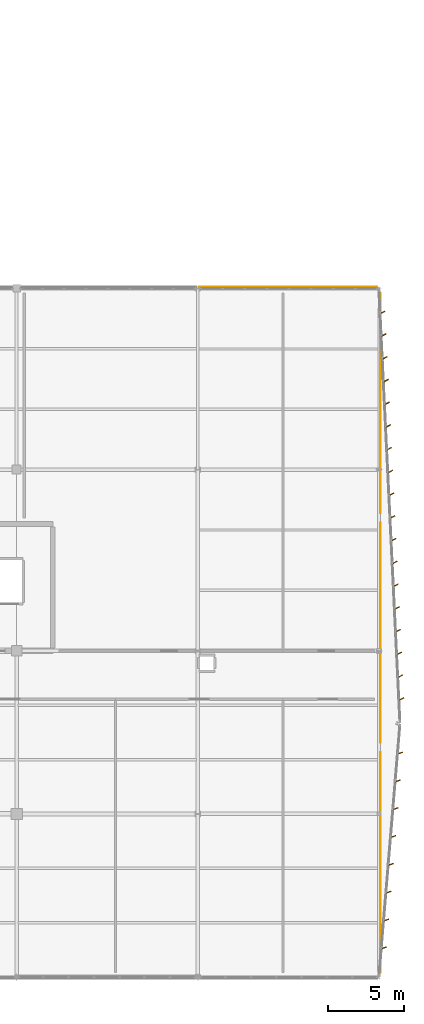
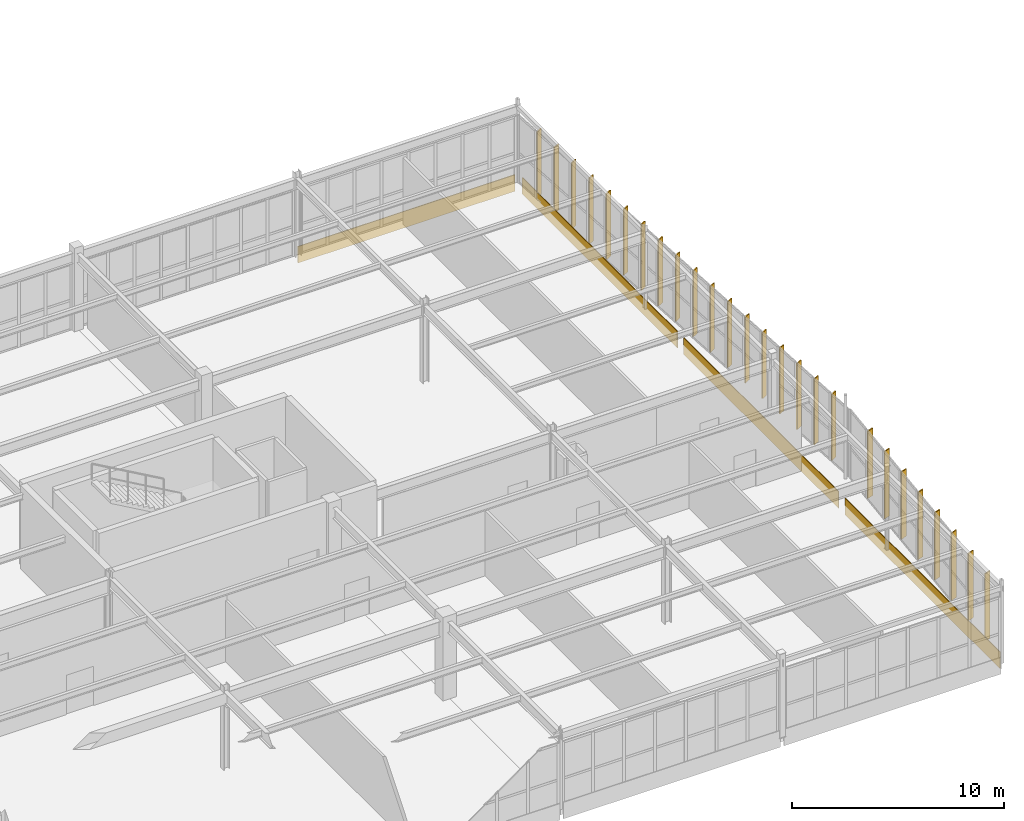
# One storey, part 181 of 186: 26 shading devices, 4 coverings.
"""IFC4 building model written with IfcOpenShell, lengths in metres."""

from ifc_helpers import new_model, si_unit, direction, frame, origin, origin_2d, place, context, subcontext, project, spatial, rectangle, extrude, material, layer, layer_set, type_object, element, save


model = new_model("IFC4")

# Units and contexts
model_context = context("Model", 3, precision=1e-05, world=origin(), true_north=direction((0.0, 1.0)))
body_context = subcontext(model_context, "Body", "Model", "MODEL_VIEW")
ifc_project = project(units=[si_unit("LENGTHUNIT", "METRE"), si_unit("AREAUNIT", "SQUARE_METRE"), si_unit("VOLUMEUNIT", "CUBIC_METRE"), si_unit("PLANEANGLEUNIT", "RADIAN"), si_unit("MASSUNIT", "GRAM", prefix="KILO")], contexts=[model_context])

# Site, building, storey
site_placement = place(None, origin())
site = spatial("IfcSite", under=ifc_project, at=site_placement, CompositionType="ELEMENT")
building_placement = place(site_placement, origin())
building = spatial("IfcBuilding", under=site, at=building_placement, Name="Tarnwether General Hospital", CompositionType="ELEMENT")
storey_placement = place(building_placement, frame((0.0, 0.0, 9.60009765625)))
storey = spatial("IfcBuildingStorey", under=building, at=storey_placement, Name="L02", CompositionType="ELEMENT", Elevation=9.60009765625)

# Coverings
ifc_material_1 = material(Name="Folded zinc-titanium cladding")
ifc_layer_1 = layer(ifc_material_1, 0.0400390625)
ifc_layer_set_1 = layer_set([ifc_layer_1], Name="Folded zinc-titanium cladding")
covering_type = type_object("IfcCoveringType", Name="CV-CLD-ZNC", PredefinedType="CLADDING", material=ifc_layer_set_1)
covering_placement = place(storey_placement, frame((186.0, 45.68994140625, -0.55517578125), z_axis=(0.0, 0.0, 1.0), x_axis=(1.0, 0.0, 0.0)))
element("IfcCovering", 1, at=covering_placement, inside=storey, type_object=covering_type, Name="Deconstructivist Faceted Zinc Spandrel Blade 030", PredefinedType="CLADDING", context=body_context, shape_type="SweptSolid", body=[
    extrude(rectangle(XDim=11.800048828125, YDim=0.0400390625, at=origin_2d()), origin(), (0.0, 0.0, 1.0), 0.949951171875),
])
for number, where, z_axis, x_axis, name in (
    (2, (192.090087890625, 7.60009765625, -0.55517578125), (0.0, 0.0, 1.0), (0.0, 1.0, 0.0), "Deconstructivist East Faceted Zinc Spandrel 039"),
    (3, (192.090087890625, 22.800048828125, -0.55517578125), (0.0, 0.0, 1.0), (0.0, 1.0, 0.0), "Deconstructivist East Faceted Zinc Spandrel 040"),
    (4, (192.090087890625, 38.0, -0.55517578125), (0.0, 0.0, 1.0), (0.0, 1.0, 0.0), "Deconstructivist East Faceted Zinc Spandrel 041"),
):
    element("IfcCovering", number, at=place(storey_placement, frame(where, z_axis=z_axis, x_axis=x_axis)), inside=storey, type_object=covering_type, Name=name, PredefinedType="CLADDING", context=body_context, shape_type="SweptSolid", body=[
        extrude(rectangle(XDim=14.60009765625, YDim=0.0400390625, at=origin_2d()), origin(), (0.0, 0.0, 1.0), 0.949951171875),
    ])

# Shading devices
ifc_material_2 = material(Name="Champagne-bronze anodised aluminium", Category="aluminium")
ifc_layer_2 = layer(ifc_material_2, 0.06005859375)
ifc_layer_set_2 = layer_set([ifc_layer_2], Name="Champagne-bronze anodised aluminium")
shading_device_type = type_object("IfcShadingDeviceType", Name="SH-FIN-BRZ", PredefinedType="USERDEFINED", material=ifc_layer_set_2)
for number, where, z_axis, x_axis, name in (
    (5, (192.237060546875, 44.013916015625, 0.0498046875), (0.0, 0.0, 1.0), (0.466077834922, -0.884743720969, 0.0), "Champagne-Bronze Brise-Soleil Fin 0466"),
    (6, (192.31005859375, 42.509033203125, 0.0498046875), (0.0, 0.0, 1.0), (0.466077834922, -0.884743720969, 0.0), "Champagne-Bronze Brise-Soleil Fin 0467"),
    (7, (192.384033203125, 41.0029296875, 0.0498046875), (0.0, 0.0, 1.0), (0.466077834922, -0.884743720969, 0.0), "Champagne-Bronze Brise-Soleil Fin 0468"),
    (8, (192.45703125, 39.4970703125, 0.0498046875), (0.0, 0.0, 1.0), (0.466077834922, -0.884743720969, 0.0), "Champagne-Bronze Brise-Soleil Fin 0469"),
    (9, (192.530029296875, 37.990966796875, 0.0498046875), (0.0, 0.0, 1.0), (0.466077834922, -0.884743720969, 0.0), "Champagne-Bronze Brise-Soleil Fin 0470"),
    (10, (192.60302734375, 36.485107421875, 0.0498046875), (0.0, 0.0, 1.0), (0.466077834922, -0.884743720969, 0.0), "Champagne-Bronze Brise-Soleil Fin 0471"),
    (11, (192.676025390625, 34.97998046875, 0.0498046875), (0.0, 0.0, 1.0), (0.466077834922, -0.884743720969, 0.0), "Champagne-Bronze Brise-Soleil Fin 0472"),
    (12, (192.75, 33.47412109375, 0.0498046875), (0.0, 0.0, 1.0), (0.466077834922, -0.884743720969, 0.0), "Champagne-Bronze Brise-Soleil Fin 0473"),
    (13, (192.822998046875, 31.968017578125, 0.0498046875), (0.0, 0.0, 1.0), (0.466077834922, -0.884743720969, 0.0), "Champagne-Bronze Brise-Soleil Fin 0474"),
    (14, (192.89599609375, 30.4619140625, 0.0498046875), (0.0, 0.0, 1.0), (0.466077834922, -0.884743720969, 0.0), "Champagne-Bronze Brise-Soleil Fin 0475"),
    (15, (192.968994140625, 28.9560546875, 0.0498046875), (0.0, 0.0, 1.0), (0.466077834922, -0.884743720969, 0.0), "Champagne-Bronze Brise-Soleil Fin 0476"),
    (16, (193.0419921875, 27.450927734375, 0.0498046875), (0.0, 0.0, 1.0), (0.466077834922, -0.884743720969, 0.0), "Champagne-Bronze Brise-Soleil Fin 0477"),
    (17, (193.115966796875, 25.945068359375, 0.0498046875), (0.0, 0.0, 1.0), (0.466077834922, -0.884743720969, 0.0), "Champagne-Bronze Brise-Soleil Fin 0478"),
    (18, (193.18896484375, 24.43896484375, 0.0498046875), (0.0, 0.0, 1.0), (0.466077834922, -0.884743720969, 0.0), "Champagne-Bronze Brise-Soleil Fin 0479"),
    (19, (193.261962890625, 22.93310546875, 0.0498046875), (0.0, 0.0, 1.0), (0.466077834922, -0.884743720969, 0.0), "Champagne-Bronze Brise-Soleil Fin 0480"),
    (20, (193.3349609375, 21.427001953125, 0.0498046875), (0.0, 0.0, 1.0), (0.466077834922, -0.884743720969, 0.0), "Champagne-Bronze Brise-Soleil Fin 0481"),
    (21, (193.407958984375, 19.922119140625, 0.0498046875), (0.0, 0.0, 1.0), (0.466077834922, -0.884743720969, 0.0), "Champagne-Bronze Brise-Soleil Fin 0482"),
    (22, (193.48193359375, 18.416015625, 0.0498046875), (0.0, 0.0, 1.0), (0.466077834922, -0.884743720969, 0.0), "Champagne-Bronze Brise-Soleil Fin 0483"),
):
    element("IfcShadingDevice", number, at=place(storey_placement, frame(where, z_axis=z_axis, x_axis=x_axis)), inside=storey, type_object=shading_device_type, Name=name, ObjectType="SOLAR FIN", PredefinedType="USERDEFINED", context=body_context, shape_type="SweptSolid", body=[
        extrude(rectangle(XDim=0.06005859375, YDim=0.360107421875, at=origin_2d()), origin(), (0.0, 0.0, 1.0), 3.7919921875),
    ])
for number, where, z_axis, x_axis, name in (
    (23, (193.39697265625, 14.83203125, 0.0498046875), (0.0, 0.0, 1.0), (0.345953306528, -0.938251730455, 0.0), "Champagne-Bronze Brise-Soleil Fin 0484"),
    (24, (193.242919921875, 12.988037109375, 0.0498046875), (0.0, 0.0, 1.0), (0.345953306528, -0.938251730455, 0.0), "Champagne-Bronze Brise-Soleil Fin 0485"),
    (25, (193.089111328125, 11.14404296875, 0.0498046875), (0.0, 0.0, 1.0), (0.345953306528, -0.938251730455, 0.0), "Champagne-Bronze Brise-Soleil Fin 0486"),
    (26, (192.93603515625, 9.300048828125, 0.0498046875), (0.0, 0.0, 1.0), (0.345953306528, -0.938251730455, 0.0), "Champagne-Bronze Brise-Soleil Fin 0487"),
    (27, (192.781982421875, 7.45703125, 0.0498046875), (0.0, 0.0, 1.0), (0.345953306528, -0.938251730455, 0.0), "Champagne-Bronze Brise-Soleil Fin 0488"),
    (28, (192.6279296875, 5.613037109375, 0.0498046875), (0.0, 0.0, 1.0), (0.345953306528, -0.938251730455, 0.0), "Champagne-Bronze Brise-Soleil Fin 0489"),
    (29, (192.47509765625, 3.76904296875, 0.0498046875), (0.0, 0.0, 1.0), (0.345953306528, -0.938251730455, 0.0), "Champagne-Bronze Brise-Soleil Fin 0490"),
    (30, (192.321044921875, 1.925048828125, 0.0498046875), (0.0, 0.0, 1.0), (0.345953306528, -0.938251730455, 0.0), "Champagne-Bronze Brise-Soleil Fin 0491"),
):
    element("IfcShadingDevice", number, at=place(storey_placement, frame(where, z_axis=z_axis, x_axis=x_axis)), inside=storey, type_object=shading_device_type, Name=name, ObjectType="SOLAR FIN", PredefinedType="USERDEFINED", context=body_context, shape_type="SweptSolid", body=[
        extrude(rectangle(XDim=0.06005859375, YDim=0.360107421875, at=origin_2d()), origin(), (0.0, 0.0, 1.0), 3.87109375),
    ])

save(model, "model.ifc")
